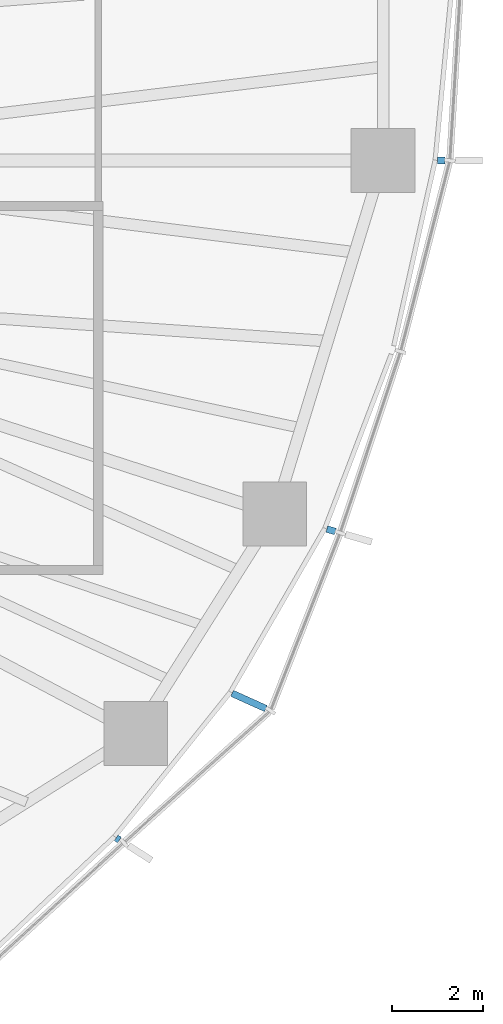
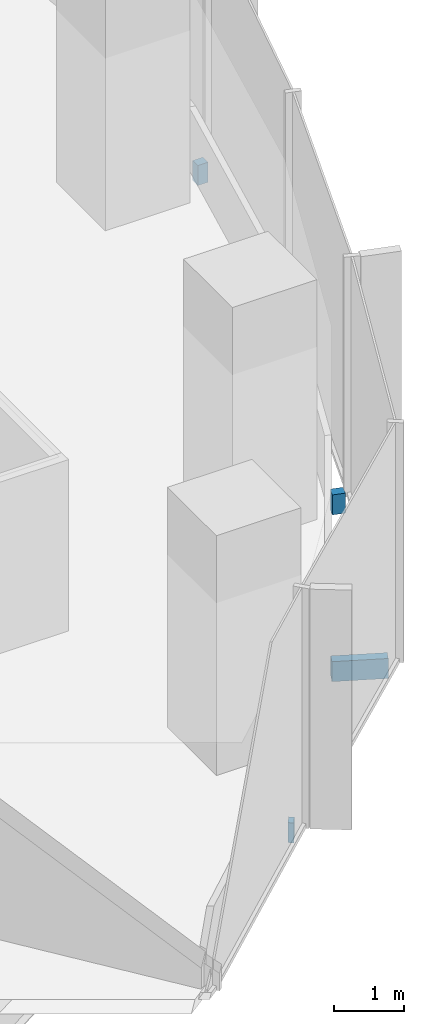
# One storey, part 14 of 18: 4 discrete accessories.
"""IFC4 building model written with IfcOpenShell, lengths in metres."""

from ifc_helpers import new_model, si_unit, direction, frame, origin, origin_2d, place, context, subcontext, project, spatial, rectangle, extrude, material, type_object, element, save


model = new_model("IFC4")

# Units and contexts
model_context = context("Model", 3, precision=1e-05, world=origin(), true_north=direction((0.0, 1.0)))
body_context = subcontext(model_context, "Body", "Model", "MODEL_VIEW")
ifc_project = project(units=[si_unit("LENGTHUNIT", "METRE"), si_unit("AREAUNIT", "SQUARE_METRE"), si_unit("VOLUMEUNIT", "CUBIC_METRE"), si_unit("PLANEANGLEUNIT", "RADIAN"), si_unit("MASSUNIT", "GRAM", prefix="KILO")], contexts=[model_context])

# Site, building, storey
site_placement = place(None, origin())
site = spatial("IfcSite", under=ifc_project, at=site_placement, CompositionType="ELEMENT")
building_placement = place(site_placement, origin())
building = spatial("IfcBuilding", under=site, at=building_placement, Name="Ghaith Harvest Tower", CompositionType="ELEMENT")
storey_placement = place(building_placement, frame((0.0, 0.0, 159.60009765625)))
storey = spatial("IfcBuildingStorey", under=building, at=storey_placement, Name="L34", CompositionType="ELEMENT", Elevation=159.60009765625)

# Discrete accessories
ifc_material_1 = material(Name="Stainless steel grade 1.4401", Category="steel")
discrete_accessory_type_1 = type_object("IfcDiscreteAccessoryType", Name="CURTAIN WALL BRACKET 165", PredefinedType="BRACKET", material=ifc_material_1)
discrete_accessory_1_placement = place(storey_placement, frame((30.5361328125, 0.0, -0.250244140625), z_axis=(0.0, 0.0, 1.0), x_axis=(1.0, 0.0, 0.0)))
element("IfcDiscreteAccessory", 1, at=discrete_accessory_1_placement, inside=storey, type_object=discrete_accessory_type_1, Name="CW-L bracket 1 bay 01 L34", PredefinedType="BRACKET", context=body_context, shape_type="SweptSolid", body=[
    extrude(rectangle(XDim=0.1650390625, YDim=0.14990234375, at=origin_2d()), origin(), (0.0, 0.0, 1.0), 0.35009765625),
])
ifc_material_2 = material(Name="Stainless steel grade 1.4401", Category="steel")
discrete_accessory_type_2 = type_object("IfcDiscreteAccessoryType", Name="CURTAIN WALL BRACKET 195", PredefinedType="BRACKET", material=ifc_material_2)
discrete_accessory_2_placement = place(storey_placement, frame((28.1201171875, -8.127197265625, -0.250244140625), z_axis=(0.0, 0.0, 1.0), x_axis=(0.960680349932, -0.277656739976, 0.0)))
element("IfcDiscreteAccessory", 2, at=discrete_accessory_2_placement, inside=storey, type_object=discrete_accessory_type_2, Name="CW-L bracket 1 bay 20 L34", PredefinedType="BRACKET", context=body_context, shape_type="SweptSolid", body=[
    extrude(rectangle(XDim=0.195068359375, YDim=0.14990234375, at=origin_2d()), origin(), (0.0, 0.0, 1.0), 0.35009765625),
])
ifc_material_3 = material(Name="Stainless steel grade 1.4401", Category="steel")
discrete_accessory_type_3 = type_object("IfcDiscreteAccessoryType", Name="CURTAIN WALL BRACKET 815", PredefinedType="BRACKET", material=ifc_material_3)
discrete_accessory_3_placement = place(storey_placement, frame((26.314697265625, -11.879638671875, -0.250244140625), z_axis=(0.0, 0.0, 1.0), x_axis=(0.911426750831, -0.41146236507, 0.0)))
element("IfcDiscreteAccessory", 3, at=discrete_accessory_3_placement, inside=storey, type_object=discrete_accessory_type_3, Name="CW-L bracket 2 bay 19 L34", PredefinedType="BRACKET", context=body_context, shape_type="SweptSolid", body=[
    extrude(rectangle(XDim=0.81494140625, YDim=0.14990234375, at=origin_2d()), origin(), (0.0, 0.0, 1.0), 0.35009765625),
])
ifc_material_4 = material(Name="Stainless steel grade 1.4401", Category="steel")
discrete_accessory_type_4 = type_object("IfcDiscreteAccessoryType", Name="CURTAIN WALL BRACKET 85", PredefinedType="BRACKET", material=ifc_material_4)
discrete_accessory_4_placement = place(storey_placement, frame((23.431884765625, -14.912353515625, -0.250244140625), z_axis=(0.0, 0.0, 1.0), x_axis=(0.84364397137, -0.536903016913, 0.0)))
element("IfcDiscreteAccessory", 4, at=discrete_accessory_4_placement, inside=storey, type_object=discrete_accessory_type_4, Name="CW-L bracket 1 bay 19 L34", PredefinedType="BRACKET", context=body_context, shape_type="SweptSolid", body=[
    extrude(rectangle(XDim=0.0849609375, YDim=0.14990234375, at=origin_2d()), origin(), (0.0, 0.0, 1.0), 0.35009765625),
])

save(model, "model.ifc")
